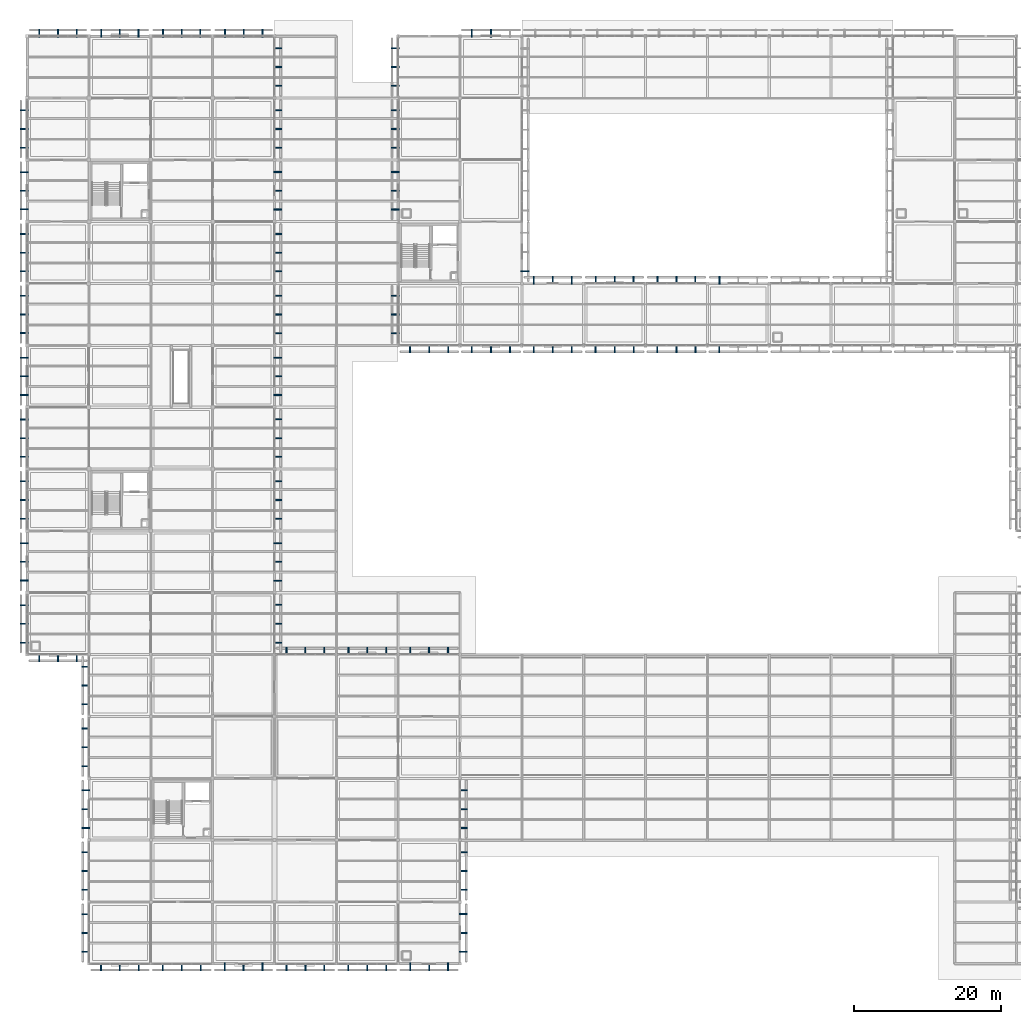
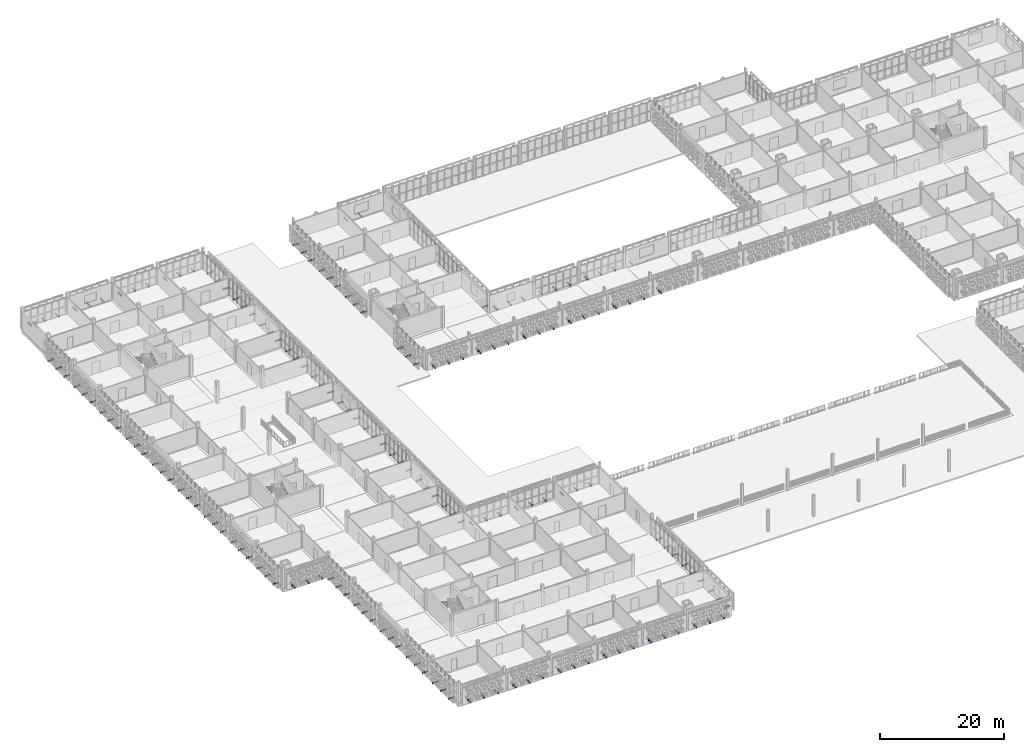
# One storey, part 109 of 166: 164 discrete accessories.
"""IFC4 building model written with IfcOpenShell, lengths in metres."""

from ifc_helpers import new_model, si_unit, direction, frame, origin, origin_2d, place, context, subcontext, project, spatial, rectangle, extrude, material, type_object, element, save


model = new_model("IFC4")

# Units and contexts
model_context = context("Model", 3, precision=1e-05, world=origin(), true_north=direction((0.0, 1.0)))
body_context = subcontext(model_context, "Body", "Model", "MODEL_VIEW")
ifc_project = project(units=[si_unit("LENGTHUNIT", "METRE"), si_unit("AREAUNIT", "SQUARE_METRE"), si_unit("VOLUMEUNIT", "CUBIC_METRE"), si_unit("PLANEANGLEUNIT", "RADIAN"), si_unit("MASSUNIT", "GRAM", prefix="KILO")], contexts=[model_context])

# Site, building, storey
site_placement = place(None, origin())
site = spatial("IfcSite", under=ifc_project, at=site_placement, CompositionType="ELEMENT")
building_placement = place(site_placement, origin())
building = spatial("IfcBuilding", under=site, at=building_placement, Name="Varnapada Polytechnic", CompositionType="ELEMENT")
storey_placement = place(building_placement, frame((0.0, 0.0, 9.60009765625)))
storey = spatial("IfcBuildingStorey", under=building, at=storey_placement, Name="L02", CompositionType="ELEMENT", Elevation=9.60009765625)

# Discrete accessories
ifc_material = material(Name="Steel S355", Category="steel")
discrete_accessory_type = type_object("IfcDiscreteAccessoryType", Name="Screen Outrigger Bracket BRK-01", PredefinedType="BRACKET", material=ifc_material)
for number, where, z_axis, x_axis, name in (
    (1, (6.75830078125, 41.574951171875, -0.05029296875), (0.0, 0.0, 1.0), (-1.0, 0.0, 0.0), "L02 terracotta screen outrigger bracket 1.1"),
    (2, (4.195068359375, 41.574951171875, -0.05029296875), (0.0, 0.0, 1.0), (-1.0, 0.0, 0.0), "L02 terracotta screen outrigger bracket 1.2"),
    (3, (1.6318359375, 41.574951171875, -0.05029296875), (0.0, 0.0, 1.0), (-1.0, 0.0, 0.0), "L02 terracotta screen outrigger bracket 1.3"),
    (4, (-0.425048828125, 43.622802734375, -0.05029296875), (0.0, 0.0, 1.0), (0.0, 1.0, 0.0), "L02 terracotta screen outrigger bracket 2.1"),
    (5, (-0.425048828125, 46.169921875, -0.05029296875), (0.0, 0.0, 1.0), (0.0, 1.0, 0.0), "L02 terracotta screen outrigger bracket 2.2"),
    (6, (-0.425048828125, 48.71728515625, -0.05029296875), (0.0, 0.0, 1.0), (0.0, 1.0, 0.0), "L02 terracotta screen outrigger bracket 2.3"),
    (7, (-0.425048828125, 52.07373046875, -0.05029296875), (0.0, 0.0, 1.0), (0.0, 1.0, 0.0), "L02 terracotta screen outrigger bracket 3.1"),
    (8, (-0.425048828125, 54.60498046875, -0.05029296875), (0.0, 0.0, 1.0), (0.0, 1.0, 0.0), "L02 terracotta screen outrigger bracket 3.2"),
    (9, (-0.425048828125, 57.13623046875, -0.05029296875), (0.0, 0.0, 1.0), (0.0, 1.0, 0.0), "L02 terracotta screen outrigger bracket 3.3"),
    (10, (-0.425048828125, 60.4638671875, -0.05029296875), (0.0, 0.0, 1.0), (0.0, 1.0, 0.0), "L02 terracotta screen outrigger bracket 4.1"),
    (11, (-0.425048828125, 62.9951171875, -0.05029296875), (0.0, 0.0, 1.0), (0.0, 1.0, 0.0), "L02 terracotta screen outrigger bracket 4.2"),
    (12, (-0.425048828125, 65.526123046875, -0.05029296875), (0.0, 0.0, 1.0), (0.0, 1.0, 0.0), "L02 terracotta screen outrigger bracket 4.3"),
    (13, (-0.425048828125, 68.873779296875, -0.05029296875), (0.0, 0.0, 1.0), (0.0, 1.0, 0.0), "L02 terracotta screen outrigger bracket 5.1"),
    (14, (-0.425048828125, 71.405029296875, -0.05029296875), (0.0, 0.0, 1.0), (0.0, 1.0, 0.0), "L02 terracotta screen outrigger bracket 5.2"),
    (15, (-0.425048828125, 73.936279296875, -0.05029296875), (0.0, 0.0, 1.0), (0.0, 1.0, 0.0), "L02 terracotta screen outrigger bracket 5.3"),
    (16, (-0.425048828125, 77.263916015625, -0.05029296875), (0.0, 0.0, 1.0), (0.0, 1.0, 0.0), "L02 terracotta screen outrigger bracket 6.1"),
    (17, (-0.425048828125, 79.794921875, -0.05029296875), (0.0, 0.0, 1.0), (0.0, 1.0, 0.0), "L02 terracotta screen outrigger bracket 6.2"),
    (18, (-0.425048828125, 82.326171875, -0.05029296875), (0.0, 0.0, 1.0), (0.0, 1.0, 0.0), "L02 terracotta screen outrigger bracket 6.3"),
    (19, (-0.425048828125, 85.673828125, -0.05029296875), (0.0, 0.0, 1.0), (0.0, 1.0, 0.0), "L02 terracotta screen outrigger bracket 7.1"),
    (20, (-0.425048828125, 88.205078125, -0.05029296875), (0.0, 0.0, 1.0), (0.0, 1.0, 0.0), "L02 terracotta screen outrigger bracket 7.2"),
    (21, (-0.425048828125, 90.736083984375, -0.05029296875), (0.0, 0.0, 1.0), (0.0, 1.0, 0.0), "L02 terracotta screen outrigger bracket 7.3"),
    (22, (-0.425048828125, 94.063720703125, -0.05029296875), (0.0, 0.0, 1.0), (0.0, 1.0, 0.0), "L02 terracotta screen outrigger bracket 8.1"),
    (23, (-0.425048828125, 96.594970703125, -0.05029296875), (0.0, 0.0, 1.0), (0.0, 1.0, 0.0), "L02 terracotta screen outrigger bracket 8.2"),
    (24, (-0.425048828125, 99.126220703125, -0.05029296875), (0.0, 0.0, 1.0), (0.0, 1.0, 0.0), "L02 terracotta screen outrigger bracket 8.3"),
    (25, (-0.425048828125, 102.473876953125, -0.05029296875), (0.0, 0.0, 1.0), (0.0, 1.0, 0.0), "L02 terracotta screen outrigger bracket 9.1"),
    (26, (-0.425048828125, 105.0048828125, -0.05029296875), (0.0, 0.0, 1.0), (0.0, 1.0, 0.0), "L02 terracotta screen outrigger bracket 9.2"),
    (27, (-0.425048828125, 107.5361328125, -0.05029296875), (0.0, 0.0, 1.0), (0.0, 1.0, 0.0), "L02 terracotta screen outrigger bracket 9.3"),
    (28, (-0.425048828125, 110.86376953125, -0.05029296875), (0.0, 0.0, 1.0), (0.0, 1.0, 0.0), "L02 terracotta screen outrigger bracket 10.1"),
    (29, (-0.425048828125, 113.39501953125, -0.05029296875), (0.0, 0.0, 1.0), (0.0, 1.0, 0.0), "L02 terracotta screen outrigger bracket 10.2"),
    (30, (-0.425048828125, 115.92626953125, -0.05029296875), (0.0, 0.0, 1.0), (0.0, 1.0, 0.0), "L02 terracotta screen outrigger bracket 10.3"),
    (31, (1.66552734375, 126.425048828125, -0.05029296875), (0.0, 0.0, 1.0), (1.0, 0.0, 0.0), "L02 terracotta screen outrigger bracket 11.1"),
    (32, (4.199951171875, 126.425048828125, -0.05029296875), (0.0, 0.0, 1.0), (1.0, 0.0, 0.0), "L02 terracotta screen outrigger bracket 11.2"),
    (33, (6.734375, 126.425048828125, -0.05029296875), (0.0, 0.0, 1.0), (1.0, 0.0, 0.0), "L02 terracotta screen outrigger bracket 11.3"),
    (34, (15.1728515625, -0.425048828125, -0.05029296875), (0.0, 0.0, 1.0), (-1.0, 0.0, 0.0), "L02 terracotta screen outrigger bracket 13.1"),
    (35, (12.60009765625, -0.425048828125, -0.05029296875), (0.0, 0.0, 1.0), (-1.0, 0.0, 0.0), "L02 terracotta screen outrigger bracket 13.2"),
    (36, (10.027099609375, -0.425048828125, -0.05029296875), (0.0, 0.0, 1.0), (-1.0, 0.0, 0.0), "L02 terracotta screen outrigger bracket 13.3"),
    (37, (7.97509765625, 1.621826171875, -0.05029296875), (0.0, 0.0, 1.0), (0.0, 1.0, 0.0), "L02 terracotta screen outrigger bracket 14.1"),
    (38, (7.97509765625, 4.18505859375, -0.05029296875), (0.0, 0.0, 1.0), (0.0, 1.0, 0.0), "L02 terracotta screen outrigger bracket 14.2"),
    (39, (7.97509765625, 6.748291015625, -0.05029296875), (0.0, 0.0, 1.0), (0.0, 1.0, 0.0), "L02 terracotta screen outrigger bracket 14.3"),
    (40, (7.97509765625, 10.04638671875, -0.05029296875), (0.0, 0.0, 1.0), (0.0, 1.0, 0.0), "L02 terracotta screen outrigger bracket 15.1"),
    (41, (7.97509765625, 12.60009765625, -0.05029296875), (0.0, 0.0, 1.0), (0.0, 1.0, 0.0), "L02 terracotta screen outrigger bracket 15.2"),
    (42, (7.97509765625, 15.153564453125, -0.05029296875), (0.0, 0.0, 1.0), (0.0, 1.0, 0.0), "L02 terracotta screen outrigger bracket 15.3"),
    (43, (7.97509765625, 18.4462890625, -0.05029296875), (0.0, 0.0, 1.0), (0.0, 1.0, 0.0), "L02 terracotta screen outrigger bracket 16.1"),
    (44, (7.97509765625, 21.0, -0.05029296875), (0.0, 0.0, 1.0), (0.0, 1.0, 0.0), "L02 terracotta screen outrigger bracket 16.2"),
    (45, (7.97509765625, 23.5537109375, -0.05029296875), (0.0, 0.0, 1.0), (0.0, 1.0, 0.0), "L02 terracotta screen outrigger bracket 16.3"),
    (46, (7.97509765625, 26.846435546875, -0.05029296875), (0.0, 0.0, 1.0), (0.0, 1.0, 0.0), "L02 terracotta screen outrigger bracket 17.1"),
    (47, (7.97509765625, 29.39990234375, -0.05029296875), (0.0, 0.0, 1.0), (0.0, 1.0, 0.0), "L02 terracotta screen outrigger bracket 17.2"),
    (48, (7.97509765625, 31.95361328125, -0.05029296875), (0.0, 0.0, 1.0), (0.0, 1.0, 0.0), "L02 terracotta screen outrigger bracket 17.3"),
    (49, (7.97509765625, 35.248291015625, -0.05029296875), (0.0, 0.0, 1.0), (0.0, 1.0, 0.0), "L02 terracotta screen outrigger bracket 18.1"),
    (50, (7.97509765625, 37.804931640625, -0.05029296875), (0.0, 0.0, 1.0), (0.0, 1.0, 0.0), "L02 terracotta screen outrigger bracket 18.2"),
    (51, (7.97509765625, 40.36181640625, -0.05029296875), (0.0, 0.0, 1.0), (0.0, 1.0, 0.0), "L02 terracotta screen outrigger bracket 18.3"),
    (52, (10.065673828125, 126.425048828125, -0.05029296875), (0.0, 0.0, 1.0), (1.0, 0.0, 0.0), "L02 terracotta screen outrigger bracket 19.1"),
    (53, (12.60009765625, 126.425048828125, -0.05029296875), (0.0, 0.0, 1.0), (1.0, 0.0, 0.0), "L02 terracotta screen outrigger bracket 19.2"),
    (54, (15.134521484375, 126.425048828125, -0.05029296875), (0.0, 0.0, 1.0), (1.0, 0.0, 0.0), "L02 terracotta screen outrigger bracket 19.3"),
    (55, (23.57275390625, -0.425048828125, -0.05029296875), (0.0, 0.0, 1.0), (-1.0, 0.0, 0.0), "L02 terracotta screen outrigger bracket 20.1"),
    (56, (21.0, -0.425048828125, -0.05029296875), (0.0, 0.0, 1.0), (-1.0, 0.0, 0.0), "L02 terracotta screen outrigger bracket 20.2"),
    (57, (18.42724609375, -0.425048828125, -0.05029296875), (0.0, 0.0, 1.0), (-1.0, 0.0, 0.0), "L02 terracotta screen outrigger bracket 20.3"),
    (58, (18.465576171875, 126.425048828125, -0.05029296875), (0.0, 0.0, 1.0), (1.0, 0.0, 0.0), "L02 terracotta screen outrigger bracket 21.1"),
    (59, (21.0, 126.425048828125, -0.05029296875), (0.0, 0.0, 1.0), (1.0, 0.0, 0.0), "L02 terracotta screen outrigger bracket 21.2"),
    (60, (23.534423828125, 126.425048828125, -0.05029296875), (0.0, 0.0, 1.0), (1.0, 0.0, 0.0), "L02 terracotta screen outrigger bracket 21.3"),
    (61, (31.972900390625, -0.425048828125, -0.05029296875), (0.0, 0.0, 1.0), (-1.0, 0.0, 0.0), "L02 terracotta screen outrigger bracket 22.1"),
    (62, (29.39990234375, -0.425048828125, -0.05029296875), (0.0, 0.0, 1.0), (-1.0, 0.0, 0.0), "L02 terracotta screen outrigger bracket 22.2"),
    (63, (26.8271484375, -0.425048828125, -0.05029296875), (0.0, 0.0, 1.0), (-1.0, 0.0, 0.0), "L02 terracotta screen outrigger bracket 22.3"),
    (64, (34.02490234375, 48.75, -0.05029296875), (0.0, 0.0, 1.0), (0.0, -1.0, 0.0), "L02 terracotta screen outrigger bracket 23.1"),
    (65, (34.02490234375, 46.18994140625, -0.05029296875), (0.0, 0.0, 1.0), (0.0, -1.0, 0.0), "L02 terracotta screen outrigger bracket 23.2"),
    (66, (34.02490234375, 43.6298828125, -0.05029296875), (0.0, 0.0, 1.0), (0.0, -1.0, 0.0), "L02 terracotta screen outrigger bracket 23.3"),
    (67, (34.02490234375, 57.1455078125, -0.05029296875), (0.0, 0.0, 1.0), (0.0, -1.0, 0.0), "L02 terracotta screen outrigger bracket 24.1"),
    (68, (34.02490234375, 54.594970703125, -0.05029296875), (0.0, 0.0, 1.0), (0.0, -1.0, 0.0), "L02 terracotta screen outrigger bracket 24.2"),
    (69, (34.02490234375, 52.044677734375, -0.05029296875), (0.0, 0.0, 1.0), (0.0, -1.0, 0.0), "L02 terracotta screen outrigger bracket 24.3"),
    (70, (34.02490234375, 65.5390625, -0.05029296875), (0.0, 0.0, 1.0), (0.0, -1.0, 0.0), "L02 terracotta screen outrigger bracket 25.1"),
    (71, (34.02490234375, 62.9951171875, -0.05029296875), (0.0, 0.0, 1.0), (0.0, -1.0, 0.0), "L02 terracotta screen outrigger bracket 25.2"),
    (72, (34.02490234375, 60.450927734375, -0.05029296875), (0.0, 0.0, 1.0), (0.0, -1.0, 0.0), "L02 terracotta screen outrigger bracket 25.3"),
    (73, (34.02490234375, 73.948974609375, -0.05029296875), (0.0, 0.0, 1.0), (0.0, -1.0, 0.0), "L02 terracotta screen outrigger bracket 26.1"),
    (74, (34.02490234375, 71.405029296875, -0.05029296875), (0.0, 0.0, 1.0), (0.0, -1.0, 0.0), "L02 terracotta screen outrigger bracket 26.2"),
    (75, (34.02490234375, 68.861083984375, -0.05029296875), (0.0, 0.0, 1.0), (0.0, -1.0, 0.0), "L02 terracotta screen outrigger bracket 26.3"),
    (76, (34.02490234375, 82.339111328125, -0.05029296875), (0.0, 0.0, 1.0), (0.0, -1.0, 0.0), "L02 terracotta screen outrigger bracket 27.1"),
    (77, (34.02490234375, 79.794921875, -0.05029296875), (0.0, 0.0, 1.0), (0.0, -1.0, 0.0), "L02 terracotta screen outrigger bracket 27.2"),
    (78, (34.02490234375, 77.2509765625, -0.05029296875), (0.0, 0.0, 1.0), (0.0, -1.0, 0.0), "L02 terracotta screen outrigger bracket 27.3"),
    (79, (34.02490234375, 90.7490234375, -0.05029296875), (0.0, 0.0, 1.0), (0.0, -1.0, 0.0), "L02 terracotta screen outrigger bracket 28.1"),
    (80, (34.02490234375, 88.205078125, -0.05029296875), (0.0, 0.0, 1.0), (0.0, -1.0, 0.0), "L02 terracotta screen outrigger bracket 28.2"),
    (81, (34.02490234375, 85.660888671875, -0.05029296875), (0.0, 0.0, 1.0), (0.0, -1.0, 0.0), "L02 terracotta screen outrigger bracket 28.3"),
    (82, (34.02490234375, 99.138916015625, -0.05029296875), (0.0, 0.0, 1.0), (0.0, -1.0, 0.0), "L02 terracotta screen outrigger bracket 29.1"),
    (83, (34.02490234375, 96.594970703125, -0.05029296875), (0.0, 0.0, 1.0), (0.0, -1.0, 0.0), "L02 terracotta screen outrigger bracket 29.2"),
    (84, (34.02490234375, 94.051025390625, -0.05029296875), (0.0, 0.0, 1.0), (0.0, -1.0, 0.0), "L02 terracotta screen outrigger bracket 29.3"),
    (85, (34.02490234375, 107.549072265625, -0.05029296875), (0.0, 0.0, 1.0), (0.0, -1.0, 0.0), "L02 terracotta screen outrigger bracket 30.1"),
    (86, (34.02490234375, 105.0048828125, -0.05029296875), (0.0, 0.0, 1.0), (0.0, -1.0, 0.0), "L02 terracotta screen outrigger bracket 30.2"),
    (87, (34.02490234375, 102.4609375, -0.05029296875), (0.0, 0.0, 1.0), (0.0, -1.0, 0.0), "L02 terracotta screen outrigger bracket 30.3"),
    (88, (34.02490234375, 115.93896484375, -0.05029296875), (0.0, 0.0, 1.0), (0.0, -1.0, 0.0), "L02 terracotta screen outrigger bracket 31.1"),
    (89, (34.02490234375, 113.39501953125, -0.05029296875), (0.0, 0.0, 1.0), (0.0, -1.0, 0.0), "L02 terracotta screen outrigger bracket 31.2"),
    (90, (34.02490234375, 110.85107421875, -0.05029296875), (0.0, 0.0, 1.0), (0.0, -1.0, 0.0), "L02 terracotta screen outrigger bracket 31.3"),
    (91, (26.87109375, 126.425048828125, -0.05029296875), (0.0, 0.0, 1.0), (1.0, 0.0, 0.0), "L02 terracotta screen outrigger bracket 32.1"),
    (92, (29.4150390625, 126.425048828125, -0.05029296875), (0.0, 0.0, 1.0), (1.0, 0.0, 0.0), "L02 terracotta screen outrigger bracket 32.2"),
    (93, (31.958984375, 126.425048828125, -0.05029296875), (0.0, 0.0, 1.0), (1.0, 0.0, 0.0), "L02 terracotta screen outrigger bracket 32.3"),
    (94, (34.02490234375, 124.357177734375, -0.05029296875), (0.0, 0.0, 1.0), (0.0, -1.0, 0.0), "L02 terracotta screen outrigger bracket 33.1"),
    (95, (34.02490234375, 121.81005859375, -0.05029296875), (0.0, 0.0, 1.0), (0.0, -1.0, 0.0), "L02 terracotta screen outrigger bracket 33.2"),
    (96, (34.02490234375, 119.2626953125, -0.05029296875), (0.0, 0.0, 1.0), (0.0, -1.0, 0.0), "L02 terracotta screen outrigger bracket 33.3"),
    (97, (40.372802734375, -0.425048828125, -0.05029296875), (0.0, 0.0, 1.0), (-1.0, 0.0, 0.0), "L02 terracotta screen outrigger bracket 34.1"),
    (98, (37.800048828125, -0.425048828125, -0.05029296875), (0.0, 0.0, 1.0), (-1.0, 0.0, 0.0), "L02 terracotta screen outrigger bracket 34.2"),
    (99, (35.227294921875, -0.425048828125, -0.05029296875), (0.0, 0.0, 1.0), (-1.0, 0.0, 0.0), "L02 terracotta screen outrigger bracket 34.3"),
    (100, (35.231689453125, 42.425048828125, -0.05029296875), (0.0, 0.0, 1.0), (1.0, 0.0, 0.0), "L02 terracotta screen outrigger bracket 35.1"),
    (101, (37.794921875, 42.425048828125, -0.05029296875), (0.0, 0.0, 1.0), (1.0, 0.0, 0.0), "L02 terracotta screen outrigger bracket 35.2"),
    (102, (40.358154296875, 42.425048828125, -0.05029296875), (0.0, 0.0, 1.0), (1.0, 0.0, 0.0), "L02 terracotta screen outrigger bracket 35.3"),
    (103, (48.772705078125, -0.425048828125, -0.05029296875), (0.0, 0.0, 1.0), (-1.0, 0.0, 0.0), "L02 terracotta screen outrigger bracket 36.1"),
    (104, (46.199951171875, -0.425048828125, -0.05029296875), (0.0, 0.0, 1.0), (-1.0, 0.0, 0.0), "L02 terracotta screen outrigger bracket 36.2"),
    (105, (43.627197265625, -0.425048828125, -0.05029296875), (0.0, 0.0, 1.0), (-1.0, 0.0, 0.0), "L02 terracotta screen outrigger bracket 36.3"),
    (106, (43.641845703125, 42.425048828125, -0.05029296875), (0.0, 0.0, 1.0), (1.0, 0.0, 0.0), "L02 terracotta screen outrigger bracket 37.1"),
    (107, (46.205078125, 42.425048828125, -0.05029296875), (0.0, 0.0, 1.0), (1.0, 0.0, 0.0), "L02 terracotta screen outrigger bracket 37.2"),
    (108, (48.768310546875, 42.425048828125, -0.05029296875), (0.0, 0.0, 1.0), (1.0, 0.0, 0.0), "L02 terracotta screen outrigger bracket 37.3"),
    (109, (57.1728515625, -0.425048828125, -0.05029296875), (0.0, 0.0, 1.0), (-1.0, 0.0, 0.0), "L02 terracotta screen outrigger bracket 38.1"),
    (110, (54.60009765625, -0.425048828125, -0.05029296875), (0.0, 0.0, 1.0), (-1.0, 0.0, 0.0), "L02 terracotta screen outrigger bracket 38.2"),
    (111, (52.027099609375, -0.425048828125, -0.05029296875), (0.0, 0.0, 1.0), (-1.0, 0.0, 0.0), "L02 terracotta screen outrigger bracket 38.3"),
    (112, (59.22509765625, 6.75634765625, -0.05029296875), (0.0, 0.0, 1.0), (0.0, -1.0, 0.0), "L02 terracotta screen outrigger bracket 39.1"),
    (113, (59.22509765625, 4.18994140625, -0.05029296875), (0.0, 0.0, 1.0), (0.0, -1.0, 0.0), "L02 terracotta screen outrigger bracket 39.2"),
    (114, (59.22509765625, 1.62353515625, -0.05029296875), (0.0, 0.0, 1.0), (0.0, -1.0, 0.0), "L02 terracotta screen outrigger bracket 39.3"),
    (115, (59.22509765625, 15.159912109375, -0.05029296875), (0.0, 0.0, 1.0), (0.0, -1.0, 0.0), "L02 terracotta screen outrigger bracket 40.1"),
    (116, (59.22509765625, 12.60009765625, -0.05029296875), (0.0, 0.0, 1.0), (0.0, -1.0, 0.0), "L02 terracotta screen outrigger bracket 40.2"),
    (117, (59.22509765625, 10.0400390625, -0.05029296875), (0.0, 0.0, 1.0), (0.0, -1.0, 0.0), "L02 terracotta screen outrigger bracket 40.3"),
    (118, (59.22509765625, 23.56005859375, -0.05029296875), (0.0, 0.0, 1.0), (0.0, -1.0, 0.0), "L02 terracotta screen outrigger bracket 41.1"),
    (119, (59.22509765625, 21.0, -0.05029296875), (0.0, 0.0, 1.0), (0.0, -1.0, 0.0), "L02 terracotta screen outrigger bracket 41.2"),
    (120, (59.22509765625, 18.43994140625, -0.05029296875), (0.0, 0.0, 1.0), (0.0, -1.0, 0.0), "L02 terracotta screen outrigger bracket 41.3"),
    (121, (52.03173828125, 42.425048828125, -0.05029296875), (0.0, 0.0, 1.0), (1.0, 0.0, 0.0), "L02 terracotta screen outrigger bracket 43.1"),
    (122, (54.594970703125, 42.425048828125, -0.05029296875), (0.0, 0.0, 1.0), (1.0, 0.0, 0.0), "L02 terracotta screen outrigger bracket 43.2"),
    (123, (57.158203125, 42.425048828125, -0.05029296875), (0.0, 0.0, 1.0), (1.0, 0.0, 0.0), "L02 terracotta screen outrigger bracket 43.3"),
    (124, (57.19189453125, 83.574951171875, -0.05029296875), (0.0, 0.0, 1.0), (-1.0, 0.0, 0.0), "L02 terracotta screen outrigger bracket 45.1"),
    (125, (54.60009765625, 83.574951171875, -0.05029296875), (0.0, 0.0, 1.0), (-1.0, 0.0, 0.0), "L02 terracotta screen outrigger bracket 45.2"),
    (126, (52.008056640625, 83.574951171875, -0.05029296875), (0.0, 0.0, 1.0), (-1.0, 0.0, 0.0), "L02 terracotta screen outrigger bracket 45.3"),
    (127, (49.97509765625, 85.635498046875, -0.05029296875), (0.0, 0.0, 1.0), (0.0, 1.0, 0.0), "L02 terracotta screen outrigger bracket 46.1"),
    (128, (49.97509765625, 88.1875, -0.05029296875), (0.0, 0.0, 1.0), (0.0, 1.0, 0.0), "L02 terracotta screen outrigger bracket 46.2"),
    (129, (49.97509765625, 90.739501953125, -0.05029296875), (0.0, 0.0, 1.0), (0.0, 1.0, 0.0), "L02 terracotta screen outrigger bracket 46.3"),
    (130, (49.97509765625, 102.4560546875, -0.05029296875), (0.0, 0.0, 1.0), (0.0, 1.0, 0.0), "L02 terracotta screen outrigger bracket 48.1"),
    (131, (49.97509765625, 105.0, -0.05029296875), (0.0, 0.0, 1.0), (0.0, 1.0, 0.0), "L02 terracotta screen outrigger bracket 48.2"),
    (132, (49.97509765625, 107.5439453125, -0.05029296875), (0.0, 0.0, 1.0), (0.0, 1.0, 0.0), "L02 terracotta screen outrigger bracket 48.3"),
    (133, (49.97509765625, 110.85595703125, -0.05029296875), (0.0, 0.0, 1.0), (0.0, 1.0, 0.0), "L02 terracotta screen outrigger bracket 49.1"),
    (134, (49.97509765625, 113.39990234375, -0.05029296875), (0.0, 0.0, 1.0), (0.0, 1.0, 0.0), "L02 terracotta screen outrigger bracket 49.2"),
    (135, (49.97509765625, 115.944091796875, -0.05029296875), (0.0, 0.0, 1.0), (0.0, 1.0, 0.0), "L02 terracotta screen outrigger bracket 49.3"),
    (136, (49.97509765625, 119.260498046875, -0.05029296875), (0.0, 0.0, 1.0), (0.0, 1.0, 0.0), "L02 terracotta screen outrigger bracket 51.1"),
    (137, (49.97509765625, 121.8125, -0.05029296875), (0.0, 0.0, 1.0), (0.0, 1.0, 0.0), "L02 terracotta screen outrigger bracket 51.2"),
    (138, (49.97509765625, 124.364501953125, -0.05029296875), (0.0, 0.0, 1.0), (0.0, 1.0, 0.0), "L02 terracotta screen outrigger bracket 51.3"),
    (139, (65.592041015625, 83.574951171875, -0.05029296875), (0.0, 0.0, 1.0), (-1.0, 0.0, 0.0), "L02 terracotta screen outrigger bracket 52.1"),
    (140, (63.0, 83.574951171875, -0.05029296875), (0.0, 0.0, 1.0), (-1.0, 0.0, 0.0), "L02 terracotta screen outrigger bracket 52.2"),
    (141, (60.407958984375, 83.574951171875, -0.05029296875), (0.0, 0.0, 1.0), (-1.0, 0.0, 0.0), "L02 terracotta screen outrigger bracket 52.3"),
    (142, (67.625, 94.06787109375, -0.05029296875), (0.0, 0.0, 1.0), (0.0, -1.0, 0.0), "L02 terracotta screen outrigger bracket 53.3"),
    (143, (60.407958984375, 126.425048828125, -0.05029296875), (0.0, 0.0, 1.0), (1.0, 0.0, 0.0), "L02 terracotta screen outrigger bracket 56.1"),
    (144, (63.0, 126.425048828125, -0.05029296875), (0.0, 0.0, 1.0), (1.0, 0.0, 0.0), "L02 terracotta screen outrigger bracket 56.2"),
    (145, (73.991943359375, 83.574951171875, -0.05029296875), (0.0, 0.0, 1.0), (-1.0, 0.0, 0.0), "L02 terracotta screen outrigger bracket 58.1"),
    (146, (71.39990234375, 83.574951171875, -0.05029296875), (0.0, 0.0, 1.0), (-1.0, 0.0, 0.0), "L02 terracotta screen outrigger bracket 58.2"),
    (147, (68.80810546875, 83.574951171875, -0.05029296875), (0.0, 0.0, 1.0), (-1.0, 0.0, 0.0), "L02 terracotta screen outrigger bracket 58.3"),
    (148, (68.831787109375, 92.824951171875, -0.05029296875), (0.0, 0.0, 1.0), (1.0, 0.0, 0.0), "L02 terracotta screen outrigger bracket 59.1"),
    (149, (71.39501953125, 92.824951171875, -0.05029296875), (0.0, 0.0, 1.0), (1.0, 0.0, 0.0), "L02 terracotta screen outrigger bracket 59.2"),
    (150, (73.958251953125, 92.824951171875, -0.05029296875), (0.0, 0.0, 1.0), (1.0, 0.0, 0.0), "L02 terracotta screen outrigger bracket 59.3"),
    (151, (82.39208984375, 83.574951171875, -0.05029296875), (0.0, 0.0, 1.0), (-1.0, 0.0, 0.0), "L02 terracotta screen outrigger bracket 60.1"),
    (152, (79.800048828125, 83.574951171875, -0.05029296875), (0.0, 0.0, 1.0), (-1.0, 0.0, 0.0), "L02 terracotta screen outrigger bracket 60.2"),
    (153, (77.2080078125, 83.574951171875, -0.05029296875), (0.0, 0.0, 1.0), (-1.0, 0.0, 0.0), "L02 terracotta screen outrigger bracket 60.3"),
    (154, (77.24169921875, 92.824951171875, -0.05029296875), (0.0, 0.0, 1.0), (1.0, 0.0, 0.0), "L02 terracotta screen outrigger bracket 61.1"),
    (155, (79.804931640625, 92.824951171875, -0.05029296875), (0.0, 0.0, 1.0), (1.0, 0.0, 0.0), "L02 terracotta screen outrigger bracket 61.2"),
    (156, (82.3681640625, 92.824951171875, -0.05029296875), (0.0, 0.0, 1.0), (1.0, 0.0, 0.0), "L02 terracotta screen outrigger bracket 61.3"),
    (157, (90.7919921875, 83.574951171875, -0.05029296875), (0.0, 0.0, 1.0), (-1.0, 0.0, 0.0), "L02 terracotta screen outrigger bracket 62.1"),
    (158, (88.199951171875, 83.574951171875, -0.05029296875), (0.0, 0.0, 1.0), (-1.0, 0.0, 0.0), "L02 terracotta screen outrigger bracket 62.2"),
    (159, (85.60791015625, 83.574951171875, -0.05029296875), (0.0, 0.0, 1.0), (-1.0, 0.0, 0.0), "L02 terracotta screen outrigger bracket 62.3"),
    (160, (85.6318359375, 92.824951171875, -0.05029296875), (0.0, 0.0, 1.0), (1.0, 0.0, 0.0), "L02 terracotta screen outrigger bracket 63.1"),
    (161, (88.195068359375, 92.824951171875, -0.05029296875), (0.0, 0.0, 1.0), (1.0, 0.0, 0.0), "L02 terracotta screen outrigger bracket 63.2"),
    (162, (90.75830078125, 92.824951171875, -0.05029296875), (0.0, 0.0, 1.0), (1.0, 0.0, 0.0), "L02 terracotta screen outrigger bracket 63.3"),
    (163, (94.008056640625, 83.574951171875, -0.05029296875), (0.0, 0.0, 1.0), (-1.0, 0.0, 0.0), "L02 terracotta screen outrigger bracket 64.3"),
    (164, (94.041748046875, 92.824951171875, -0.05029296875), (0.0, 0.0, 1.0), (1.0, 0.0, 0.0), "L02 terracotta screen outrigger bracket 65.1"),
):
    element("IfcDiscreteAccessory", number, at=place(storey_placement, frame(where, z_axis=z_axis, x_axis=x_axis)), inside=storey, type_object=discrete_accessory_type, Name=name, PredefinedType="BRACKET", context=body_context, shape_type="SweptSolid", body=[
        extrude(rectangle(XDim=0.159912109375, YDim=1.090087890625, at=origin_2d()), origin(), (0.0, 0.0, 1.0), 0.219970703125),
    ])

save(model, "model.ifc")
